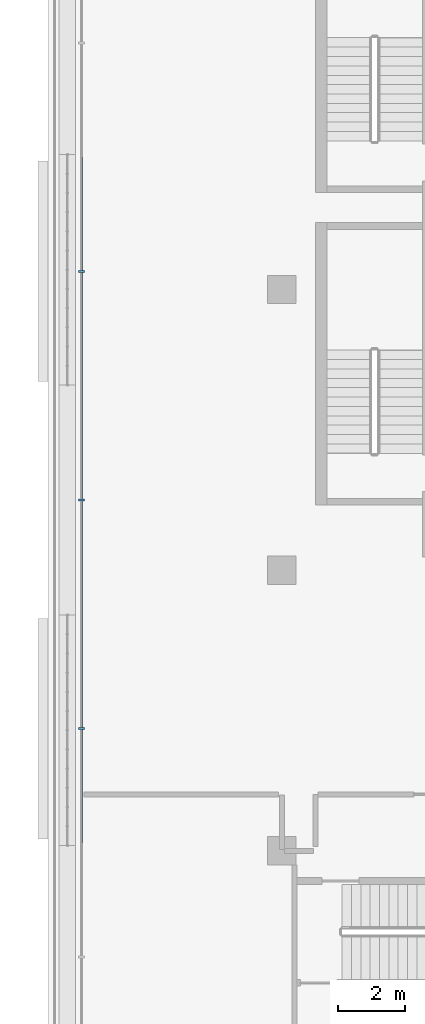
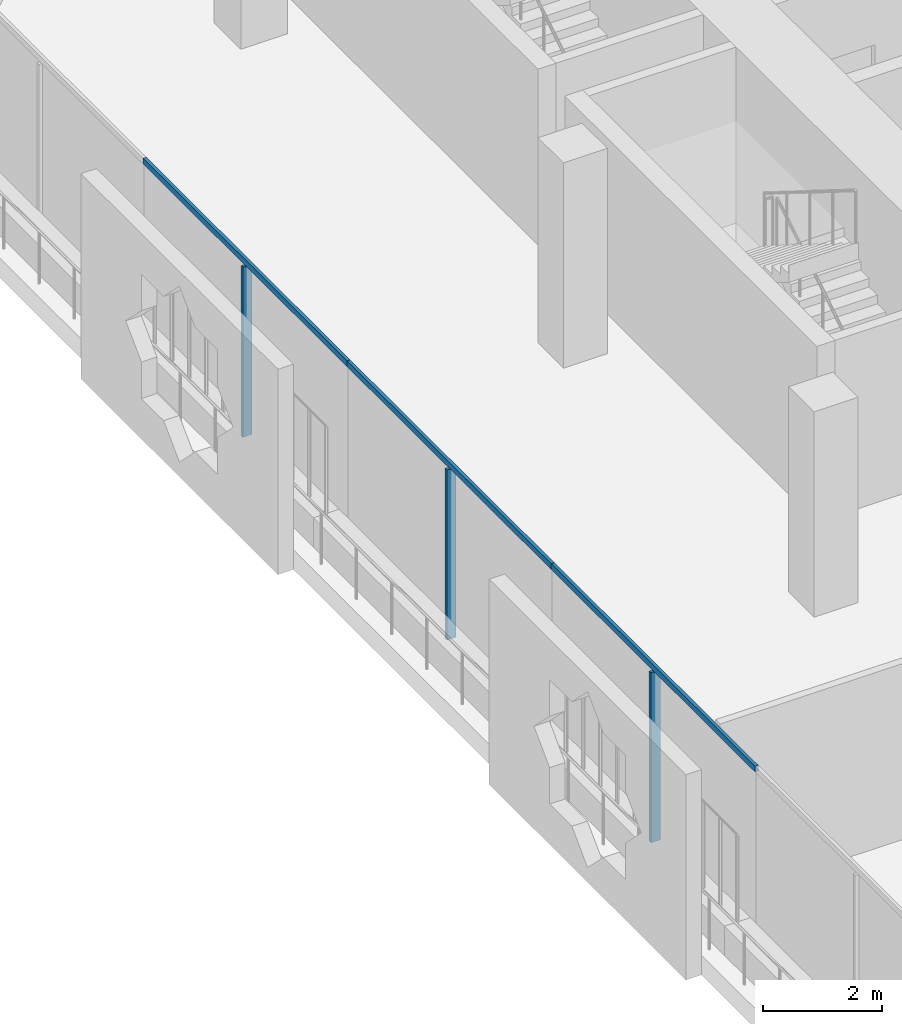
# One storey, part 3 of 20: 6 members, 1 element without a shape of its own.
"""IFC4 building model written with IfcOpenShell, lengths in metres."""

from ifc_helpers import new_model, si_unit, direction, frame, origin, origin_2d, place, context, subcontext, project, spatial, rectangle, extrude, material, layer, layer_set, material_profile, profile_set, type_object, element, aggregate, save


model = new_model("IFC4")

# Units and contexts
model_context = context("Model", 3, precision=1e-05, world=origin(), true_north=direction((0.0, 1.0)))
body_context = subcontext(model_context, "Body", "Model", "MODEL_VIEW")
ifc_project = project(units=[si_unit("LENGTHUNIT", "METRE"), si_unit("AREAUNIT", "SQUARE_METRE"), si_unit("VOLUMEUNIT", "CUBIC_METRE"), si_unit("PLANEANGLEUNIT", "RADIAN"), si_unit("MASSUNIT", "GRAM", prefix="KILO")], contexts=[model_context])

# Site, building, storey
site_placement = place(None, origin())
site = spatial("IfcSite", under=ifc_project, at=site_placement, CompositionType="ELEMENT")
building_placement = place(site_placement, origin())
building = spatial("IfcBuilding", under=site, at=building_placement, Name="Kawkab Arch Medical Tower", CompositionType="ELEMENT")
storey_placement = place(building_placement, frame((0.0, 0.0, 239.0)))
storey = spatial("IfcBuildingStorey", under=building, at=storey_placement, Name="L55", CompositionType="ELEMENT", Elevation=239.0)

# Curtain wall, members
ifc_material_1 = material(Name="Bronze anodised aluminium curtain wall frame", Category="aluminium")
ifc_layer = layer(ifc_material_1, 0.159912109375)
ifc_layer_set = layer_set([ifc_layer], Name="Bronze anodised aluminium curtain wall frame")
curtain_wall_type = type_object("IfcCurtainWallType", Name="CW1 ward curtain wall", PredefinedType="NOTDEFINED", material=ifc_layer_set)
curtain_wall_placement = place(storey_placement, origin())
curtain_wall = element("IfcCurtainWall", 1, at=curtain_wall_placement, inside=storey, type_object=curtain_wall_type, Name="CW1 Ward curtain wall R01", PredefinedType="NOTDEFINED")
ifc_material_2 = material(Name="Bronze anodised aluminium curtain wall frame", Category="aluminium")
ifc_material_profile_1 = material_profile(ifc_material_2, rectangle(XDim=0.179931640625, YDim=0.06005859375, at=origin_2d()), Name="AL 60x180")
ifc_profile_set_1 = profile_set([ifc_material_profile_1], Name="Bronze anodised aluminium curtain wall frame")
member_type_1 = type_object("IfcMemberType", Name="CW1 mullion 60 x 180", PredefinedType="MULLION", material=ifc_profile_set_1)
member_1_placement = place(storey_placement, frame((-6.0, -16.260009765625, 0.0), z_axis=(0.0, 0.0, 1.0), x_axis=(1.0, 0.0, 0.0)))
member_1 = element("IfcMember", 2, at=member_1_placement, type_object=member_type_1, Name="CW1 mullion 2.1", PredefinedType="MULLION", context=body_context, shape_type="SweptSolid", body=[
    extrude(rectangle(XDim=0.179931640625, YDim=0.06005859375, at=origin_2d()), origin(), (0.0, 0.0, 1.0), 3.47998046875),
])
member_2_placement = place(storey_placement, frame((-6.0, -23.10009765625, 0.0), z_axis=(0.0, 0.0, 1.0), x_axis=(1.0, 0.0, 0.0)))
member_2 = element("IfcMember", 3, at=member_2_placement, type_object=member_type_1, Name="CW1 mullion 3.1", PredefinedType="MULLION", context=body_context, shape_type="SweptSolid", body=[
    extrude(rectangle(XDim=0.179931640625, YDim=0.06005859375, at=origin_2d()), origin(), (0.0, 0.0, 1.0), 3.47998046875),
])
member_3_placement = place(storey_placement, frame((-6.0, -29.93994140625, 0.0), z_axis=(0.0, 0.0, 1.0), x_axis=(1.0, 0.0, 0.0)))
member_3 = element("IfcMember", 4, at=member_3_placement, type_object=member_type_1, Name="CW1 mullion 4.1", PredefinedType="MULLION", context=body_context, shape_type="SweptSolid", body=[
    extrude(rectangle(XDim=0.179931640625, YDim=0.06005859375, at=origin_2d()), origin(), (0.0, 0.0, 1.0), 3.47998046875),
])
ifc_material_3 = material(Name="Bronze anodised aluminium curtain wall frame", Category="aluminium")
ifc_material_profile_2 = material_profile(ifc_material_3, rectangle(XDim=0.06005859375, YDim=0.1201171875, at=origin_2d()), Name="AL 60x120")
ifc_profile_set_2 = profile_set([ifc_material_profile_2], Name="Bronze anodised aluminium curtain wall frame")
member_type_2 = type_object("IfcMemberType", Name="CW1 transom 120 x 60", PredefinedType="USERDEFINED", material=ifc_profile_set_2)
member_4_placement = place(storey_placement, frame((-6.0, -12.840087890625, 3.5400390625), z_axis=(0.0, -1.0, 0.0), x_axis=(1.0, 0.0, 0.0)))
member_4 = element("IfcMember", 5, at=member_4_placement, type_object=member_type_2, Name="CW1 transom 2", ObjectType="TRANSOM", PredefinedType="USERDEFINED", context=body_context, shape_type="SweptSolid", body=[
    extrude(rectangle(XDim=0.06005859375, YDim=0.1201171875, at=origin_2d()), origin(), (0.0, 0.0, 1.0), 6.83984375),
])
member_5_placement = place(storey_placement, frame((-6.0, -19.679931640625, 3.5400390625), z_axis=(0.0, -1.0, 0.0), x_axis=(1.0, 0.0, 0.0)))
member_5 = element("IfcMember", 6, at=member_5_placement, type_object=member_type_2, Name="CW1 transom 3", ObjectType="TRANSOM", PredefinedType="USERDEFINED", context=body_context, shape_type="SweptSolid", body=[
    extrude(rectangle(XDim=0.06005859375, YDim=0.1201171875, at=origin_2d()), origin(), (0.0, 0.0, 1.0), 6.840087890625),
])
member_6_placement = place(storey_placement, frame((-6.0, -26.52001953125, 3.5400390625), z_axis=(0.0, -1.0, 0.0), x_axis=(1.0, 0.0, 0.0)))
member_6 = element("IfcMember", 7, at=member_6_placement, type_object=member_type_2, Name="CW1 transom 4", ObjectType="TRANSOM", PredefinedType="USERDEFINED", context=body_context, shape_type="SweptSolid", body=[
    extrude(rectangle(XDim=0.06005859375, YDim=0.1201171875, at=origin_2d()), origin(), (0.0, 0.0, 1.0), 6.840087890625),
])
aggregate(curtain_wall, [member_4, member_1, member_5, member_2, member_6, member_3])

save(model, "model.ifc")
